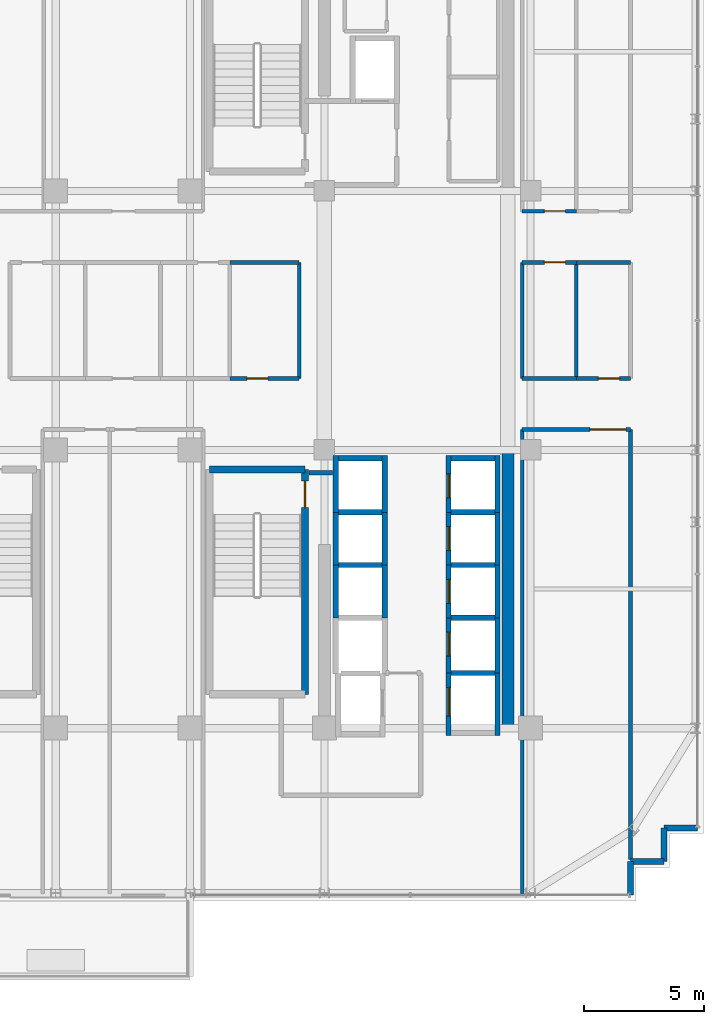
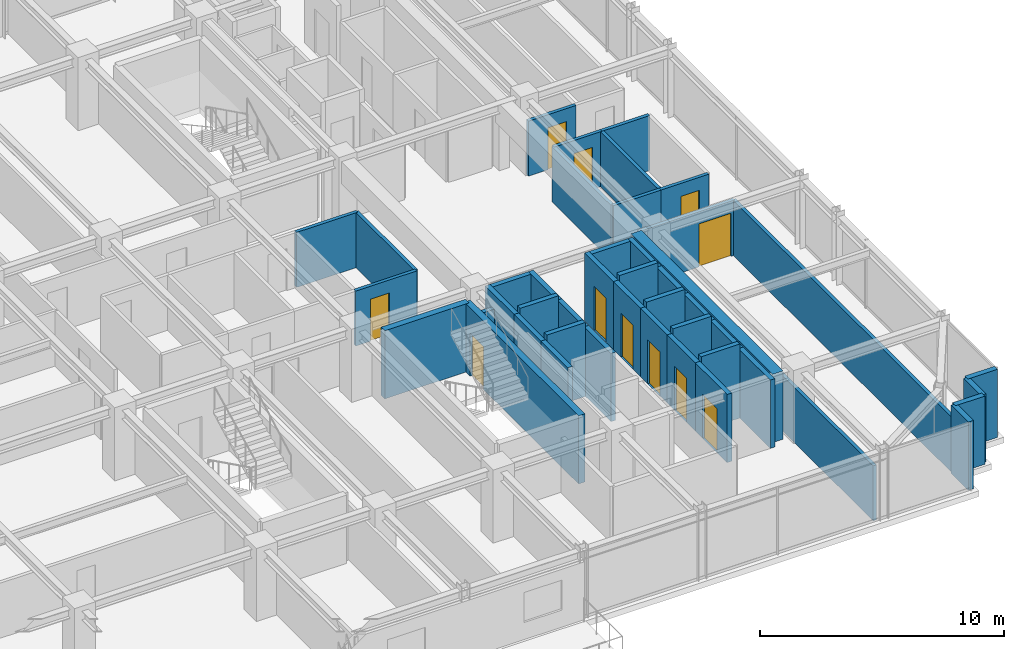
# One storey, part 27 of 32: 45 walls, 11 doors, 11 openings.
"""IFC4 building model written with IfcOpenShell, lengths in metres."""

from ifc_helpers import new_model, si_unit, direction, frame, frame_2d, origin, place, context, subcontext, project, spatial, rectangle, extrude, source, transform, mapped, material, layer, layer_set, type_object, element, fill, save


model = new_model("IFC4")

# Units and contexts
model_context = context("Model", 3, precision=1e-05, world=origin(), true_north=direction((0.0, 1.0)))
body_context = subcontext(model_context, "Body", "Model", "MODEL_VIEW")
ifc_project = project(units=[si_unit("LENGTHUNIT", "METRE"), si_unit("AREAUNIT", "SQUARE_METRE"), si_unit("VOLUMEUNIT", "CUBIC_METRE"), si_unit("PLANEANGLEUNIT", "RADIAN"), si_unit("MASSUNIT", "GRAM", prefix="KILO")], contexts=[model_context])

# Site, building, storey
site_placement = place(None, origin())
site = spatial("IfcSite", under=ifc_project, at=site_placement, CompositionType="ELEMENT")
building_placement = place(site_placement, origin())
building = spatial("IfcBuilding", under=site, at=building_placement, Name="Nahalor Promenade Grand Hotel", CompositionType="ELEMENT")
storey_placement = place(building_placement, frame((0.0, 0.0, 230.800048828125)))
storey = spatial("IfcBuildingStorey", under=building, at=storey_placement, Name="L59", CompositionType="ELEMENT", Elevation=230.800048828125)

# Walls
ifc_material_1 = material(Name="Concrete B-60 (C50/60)", Category="concrete")
ifc_layer_1 = layer(ifc_material_1, 0.5)
ifc_layer_set_1 = layer_set([ifc_layer_1], Name="Concrete B-60 (C50/60)")
wall_type_1 = type_object("IfcWallType", Name="Wall-CoreShear-500", PredefinedType="SHEAR", material=ifc_layer_set_1)
shared_shape_1 = source(origin(), body_context, "Body", "SweptSolid", [
    extrude(rectangle(XDim=11.60009765625, YDim=0.5, at=frame_2d((5.800048828125, 0.0))), origin(), (0.0, 0.0, 1.0), 3.409912109375),
])
wall_1_placement = place(storey_placement, frame((16.050048828125, -17.0, 0.0), z_axis=(0.0, 0.0, 1.0), x_axis=(0.0, 1.0, 0.0)))
element("IfcWall", 1, at=wall_1_placement, inside=storey, type_object=wall_type_1, Name="CWALL-L59-SE", PredefinedType="SHEAR", context=body_context, shape_type="MappedRepresentation", body=[
    mapped(shared_shape_1, transform((0.0, 0.0, 0.0), scale=1.0)),
])
ifc_material_2 = material(Name="Concrete B-50 (C40/50)", Category="concrete")
ifc_layer_2 = layer(ifc_material_2, 0.300048828125)
ifc_layer_set_2 = layer_set([ifc_layer_2], Name="Concrete B-50 (C40/50)")
wall_type_2 = type_object("IfcWallType", Name="Wall-ShaftShear-300", PredefinedType="SHEAR", material=ifc_layer_set_2)
shared_shape_2 = source(origin(), body_context, "Body", "SweptSolid", [
    extrude(rectangle(XDim=3.97998046875, YDim=0.300048828125, at=frame_2d((1.989990234375, 0.0))), origin(), (0.0, 0.0, 1.0), 3.409912109375),
])
wall_2_placement = place(storey_placement, frame((3.610107421875, -6.2099609375, 0.0), z_axis=(0.0, 0.0, 1.0), x_axis=(1.0, 0.0, 0.0)))
element("IfcWall", 2, at=wall_2_placement, inside=storey, type_object=wall_type_2, Name="L59 Exit Stair ST2 Shaft Wall N", PredefinedType="SHEAR", context=body_context, shape_type="MappedRepresentation", body=[
    mapped(shared_shape_2, transform((0.0, 0.0, 0.0), scale=1.0)),
])

# Wall, opening, door
shared_shape_3 = source(origin(), body_context, "Body", "SweptSolid", [
    extrude(rectangle(XDim=9.380126953125, YDim=0.300048828125, at=frame_2d((4.68994140625, 0.0))), origin(), (0.0, 0.0, 1.0), 3.409912109375),
])
wall_3_placement = place(storey_placement, frame((7.590087890625, -15.590087890625, 0.0), z_axis=(0.0, 0.0, 1.0), x_axis=(0.0, 1.0, 0.0)))
wall_3 = element("IfcWall", 3, at=wall_3_placement, inside=storey, type_object=wall_type_2, Name="L59 Exit Stair ST2 Shaft Wall E", PredefinedType="SHEAR", context=body_context, shape_type="MappedRepresentation", body=[
    mapped(shared_shape_3, transform((0.0, 0.0, 0.0), scale=1.0)),
])
opening_1_placement = place(wall_3_placement, frame((7.7900390625, 0.0, 0.0)))
opening_1 = element("IfcOpeningElement", 4, at=opening_1_placement, cuts=wall_3, Name="Opening D-ST1", PredefinedType="OPENING", context=body_context, shape_type="SweptSolid", body=[
    extrude(rectangle(XDim=1.10009765625, YDim=2.14990234375, at=frame_2d((0.550048828125, 1.074951171875))), frame((0.0, 0.159912109375, 0.0), z_axis=(0.0, -1.0, 0.0), x_axis=(1.0, 0.0, 0.0)), (0.0, 0.0, 1.0), 0.320068359375),
])
ifc_material_3 = material(Name="Steel S355JR", Category="steel")
door_type_1 = type_object("IfcDoorType", Name="Door-StairFire-1100", OperationType="NOTDEFINED", PredefinedType="DOOR", material=ifc_material_3)
shared_shape_4 = source(origin(), body_context, "Body", "SweptSolid", [
    extrude(rectangle(XDim=1.10009765625, YDim=2.14990234375, at=frame_2d((0.550048828125, 1.074951171875))), frame((0.0, 0.02490234375, 0.0), z_axis=(0.0, -1.0, 0.0), x_axis=(1.0, 0.0, 0.0)), (0.0, 0.0, 1.0), 0.050048828125),
])
door_1_placement = place(opening_1_placement, origin())
door_1 = element("IfcDoor", 5, at=door_1_placement, inside=storey, type_object=door_type_1, Name="DR-STAIR-ST2-L59", OperationType="SINGLE_SWING_RIGHT", OverallHeight=2.14990234375, OverallWidth=1.10009765625, PredefinedType="DOOR", context=body_context, shape_type="MappedRepresentation", body=[
    mapped(shared_shape_4, transform((0.0, 0.0, 0.0), scale=1.0)),
])
fill(opening_1, door_1)

ifc_layer_3 = layer(ifc_material_2, 0.219970703125)
ifc_layer_set_3 = layer_set([ifc_layer_3], Name="Concrete B-50 (C40/50)")
wall_type_3 = type_object("IfcWallType", Name="Wall-LiftShaft-220", PredefinedType="SHEAR", material=ifc_layer_set_3)
shared_shape_5 = source(origin(), body_context, "Body", "SweptSolid", [
    extrude(rectangle(XDim=2.360107421875, YDim=0.219970703125, at=frame_2d((1.18017578125, 0.0))), origin(), (0.0, 0.0, 1.0), 3.409912109375),
])
wall_4_placement = place(storey_placement, frame((13.580078125, -8.0, 0.0), z_axis=(0.0, 0.0, 1.0), x_axis=(0.0, 1.0, 0.0)))
wall_4 = element("IfcWall", 6, at=wall_4_placement, inside=storey, type_object=wall_type_3, Name="L59 Lift PL5 Hoistway Wall W", PredefinedType="SHEAR", context=body_context, shape_type="MappedRepresentation", body=[
    mapped(shared_shape_5, transform((0.0, 0.0, 0.0), scale=1.0)),
])
opening_2_placement = place(wall_4_placement, frame((0.60009765625, 0.0, 0.0)))
opening_2 = element("IfcOpeningElement", 7, at=opening_2_placement, cuts=wall_4, Name="Opening LD-01", PredefinedType="OPENING", context=body_context, shape_type="SweptSolid", body=[
    extrude(rectangle(XDim=1.0, YDim=2.199951171875, at=frame_2d((0.5, 1.10009765625))), frame((0.0, 0.119873046875, 0.0), z_axis=(0.0, -1.0, 0.0), x_axis=(1.0, 0.0, 0.0)), (0.0, 0.0, 1.0), 0.239990234375),
])
door_type_2 = type_object("IfcDoorType", Name="Door-LiftLanding-1000", OperationType="DOUBLE_DOOR_SLIDING", PredefinedType="DOOR", material=ifc_material_3)
shared_shape_6 = source(origin(), body_context, "Body", "SweptSolid", [
    extrude(rectangle(XDim=1.0, YDim=2.199951171875, at=frame_2d((0.5, 1.10009765625))), frame((0.0, 0.02490234375, 0.0), z_axis=(0.0, -1.0, 0.0), x_axis=(1.0, 0.0, 0.0)), (0.0, 0.0, 1.0), 0.050048828125),
])
door_2_placement = place(opening_2_placement, origin())
door_2 = element("IfcDoor", 8, at=door_2_placement, inside=storey, type_object=door_type_2, Name="DR-LIFT-PL5-L59", OperationType="DOUBLE_DOOR_SLIDING", OverallHeight=2.199951171875, OverallWidth=1.0, PredefinedType="DOOR", context=body_context, shape_type="MappedRepresentation", body=[
    mapped(shared_shape_6, transform((0.0, 0.0, 0.0), scale=1.0)),
])
fill(opening_2, door_2)

# Walls
for number, where, z_axis, x_axis, name in (
    (9, (15.6201171875, -8.0, 0.0), (0.0, 0.0, 1.0), (0.0, 1.0, 0.0), "L59 Lift PL5 Hoistway Wall E"),
    (10, (8.8798828125, -8.0, 0.0), (0.0, 0.0, 1.0), (0.0, 1.0, 0.0), "L59 Lift PL9 Hoistway Wall W"),
    (11, (10.919921875, -8.0, 0.0), (0.0, 0.0, 1.0), (0.0, 1.0, 0.0), "L59 Lift PL9 Hoistway Wall E"),
):
    element("IfcWall", number, at=place(storey_placement, frame(where, z_axis=z_axis, x_axis=x_axis)), inside=storey, type_object=wall_type_3, Name=name, PredefinedType="SHEAR", context=body_context, shape_type="MappedRepresentation", body=[
        mapped(shared_shape_5, transform((0.0, 0.0, 0.0), scale=1.0)),
    ])
shared_shape_7 = source(origin(), body_context, "Body", "SweptSolid", [
    extrude(rectangle(XDim=1.820068359375, YDim=0.219970703125, at=frame_2d((0.91015625, 0.0))), origin(), (0.0, 0.0, 1.0), 3.409912109375),
])
for number, where, z_axis, x_axis, name in (
    (12, (13.68994140625, -5.75, 0.0), (0.0, 0.0, 1.0), (1.0, 0.0, 0.0), "L59 Lift PL5 Hoistway Wall N"),
    (13, (8.989990234375, -5.75, 0.0), (0.0, 0.0, 1.0), (1.0, 0.0, 0.0), "L59 Lift PL9 Hoistway Wall N"),
):
    element("IfcWall", number, at=place(storey_placement, frame(where, z_axis=z_axis, x_axis=x_axis)), inside=storey, type_object=wall_type_3, Name=name, PredefinedType="SHEAR", context=body_context, shape_type="MappedRepresentation", body=[
        mapped(shared_shape_7, transform((0.0, 0.0, 0.0), scale=1.0)),
    ])

# Wall, opening, door
shared_shape_8 = source(origin(), body_context, "Body", "SweptSolid", [
    extrude(rectangle(XDim=2.199951171875, YDim=0.219970703125, at=frame_2d((1.10009765625, 0.0))), origin(), (0.0, 0.0, 1.0), 3.409912109375),
])
wall_5_placement = place(storey_placement, frame((13.580078125, -10.199951171875, 0.0), z_axis=(0.0, 0.0, 1.0), x_axis=(0.0, 1.0, 0.0)))
wall_5 = element("IfcWall", 14, at=wall_5_placement, inside=storey, type_object=wall_type_3, Name="L59 Lift PL6 Hoistway Wall W", PredefinedType="SHEAR", context=body_context, shape_type="MappedRepresentation", body=[
    mapped(shared_shape_8, transform((0.0, 0.0, 0.0), scale=1.0)),
])
opening_3_placement = place(wall_5_placement, frame((0.60009765625, 0.0, 0.0)))
opening_3 = element("IfcOpeningElement", 15, at=opening_3_placement, cuts=wall_5, Name="Opening LD-01", PredefinedType="OPENING", context=body_context, shape_type="SweptSolid", body=[
    extrude(rectangle(XDim=1.0, YDim=2.199951171875, at=frame_2d((0.5, 1.10009765625))), frame((0.0, 0.119873046875, 0.0), z_axis=(0.0, -1.0, 0.0), x_axis=(1.0, 0.0, 0.0)), (0.0, 0.0, 1.0), 0.239990234375),
])
door_3_placement = place(opening_3_placement, origin())
door_3 = element("IfcDoor", 16, at=door_3_placement, inside=storey, type_object=door_type_2, Name="DR-LIFT-PL6-L59", OperationType="DOUBLE_DOOR_SLIDING", OverallHeight=2.199951171875, OverallWidth=1.0, PredefinedType="DOOR", context=body_context, shape_type="MappedRepresentation", body=[
    mapped(shared_shape_6, transform((0.0, 0.0, 0.0), scale=1.0)),
])
fill(opening_3, door_3)

# Wall
wall_6_placement = place(storey_placement, frame((15.6201171875, -10.199951171875, 0.0), z_axis=(0.0, 0.0, 1.0), x_axis=(0.0, 1.0, 0.0)))
element("IfcWall", 17, at=wall_6_placement, inside=storey, type_object=wall_type_3, Name="L59 Lift PL6 Hoistway Wall E", PredefinedType="SHEAR", context=body_context, shape_type="MappedRepresentation", body=[
    mapped(shared_shape_8, transform((0.0, 0.0, 0.0), scale=1.0)),
])

# Wall, opening, door
wall_7_placement = place(storey_placement, frame((13.580078125, -12.39990234375, 0.0), z_axis=(0.0, 0.0, 1.0), x_axis=(0.0, 1.0, 0.0)))
wall_7 = element("IfcWall", 18, at=wall_7_placement, inside=storey, type_object=wall_type_3, Name="L59 Lift PL7 Hoistway Wall W", PredefinedType="SHEAR", context=body_context, shape_type="MappedRepresentation", body=[
    mapped(shared_shape_8, transform((0.0, 0.0, 0.0), scale=1.0)),
])
opening_4_placement = place(wall_7_placement, frame((0.60009765625, 0.0, 0.0)))
opening_4 = element("IfcOpeningElement", 19, at=opening_4_placement, cuts=wall_7, Name="Opening LD-01", PredefinedType="OPENING", context=body_context, shape_type="SweptSolid", body=[
    extrude(rectangle(XDim=1.0, YDim=2.199951171875, at=frame_2d((0.5, 1.10009765625))), frame((0.0, 0.119873046875, 0.0), z_axis=(0.0, -1.0, 0.0), x_axis=(1.0, 0.0, 0.0)), (0.0, 0.0, 1.0), 0.239990234375),
])
door_4_placement = place(opening_4_placement, origin())
door_4 = element("IfcDoor", 20, at=door_4_placement, inside=storey, type_object=door_type_2, Name="DR-LIFT-PL7-L59", OperationType="DOUBLE_DOOR_SLIDING", OverallHeight=2.199951171875, OverallWidth=1.0, PredefinedType="DOOR", context=body_context, shape_type="MappedRepresentation", body=[
    mapped(shared_shape_6, transform((0.0, 0.0, 0.0), scale=1.0)),
])
fill(opening_4, door_4)

# Walls
for number, where, z_axis, x_axis, name in (
    (21, (15.6201171875, -12.39990234375, 0.0), (0.0, 0.0, 1.0), (0.0, 1.0, 0.0), "L59 Lift PL7 Hoistway Wall E"),
    (22, (8.8798828125, -10.199951171875, 0.0), (0.0, 0.0, 1.0), (0.0, 1.0, 0.0), "L59 Lift PL10 Hoistway Wall W"),
    (23, (10.919921875, -10.199951171875, 0.0), (0.0, 0.0, 1.0), (0.0, 1.0, 0.0), "L59 Lift PL10 Hoistway Wall E"),
    (24, (8.8798828125, -12.39990234375, 0.0), (0.0, 0.0, 1.0), (0.0, 1.0, 0.0), "L59 Lift PL11 Hoistway Wall W"),
    (25, (10.919921875, -12.39990234375, 0.0), (0.0, 0.0, 1.0), (0.0, 1.0, 0.0), "L59 Lift PL11 Hoistway Wall E"),
):
    element("IfcWall", number, at=place(storey_placement, frame(where, z_axis=z_axis, x_axis=x_axis)), inside=storey, type_object=wall_type_3, Name=name, PredefinedType="SHEAR", context=body_context, shape_type="MappedRepresentation", body=[
        mapped(shared_shape_8, transform((0.0, 0.0, 0.0), scale=1.0)),
    ])
shared_shape_9 = source(origin(), body_context, "Body", "SweptSolid", [
    extrude(rectangle(XDim=1.820068359375, YDim=0.219970703125, at=frame_2d((0.91015625, 0.0))), origin(), (0.0, 0.0, 1.0), 3.699951171875),
])
for number, where, z_axis, x_axis, name in (
    (26, (13.68994140625, -8.0, 0.0), (0.0, 0.0, 1.0), (1.0, 0.0, 0.0), "L59 Lift PL6 Hoistway Wall N"),
    (27, (13.68994140625, -10.199951171875, 0.0), (0.0, 0.0, 1.0), (1.0, 0.0, 0.0), "L59 Lift PL7 Hoistway Wall N"),
    (28, (13.68994140625, -12.39990234375, 0.0), (0.0, 0.0, 1.0), (1.0, 0.0, 0.0), "L59 Lift PL8 Hoistway Wall N"),
    (29, (8.989990234375, -8.0, 0.0), (0.0, 0.0, 1.0), (1.0, 0.0, 0.0), "L59 Lift PL10 Hoistway Wall N"),
    (30, (8.989990234375, -10.199951171875, 0.0), (0.0, 0.0, 1.0), (1.0, 0.0, 0.0), "L59 Lift PL11 Hoistway Wall N"),
    (31, (13.68994140625, -14.699951171875, 0.0), (0.0, 0.0, 1.0), (1.0, 0.0, 0.0), "L59 Lift SV2 Hoistway Wall N"),
):
    element("IfcWall", number, at=place(storey_placement, frame(where, z_axis=z_axis, x_axis=x_axis)), inside=storey, type_object=wall_type_3, Name=name, PredefinedType="SHEAR", context=body_context, shape_type="MappedRepresentation", body=[
        mapped(shared_shape_9, transform((0.0, 0.0, 0.0), scale=1.0)),
    ])

# Wall, opening, door
shared_shape_10 = source(origin(), body_context, "Body", "SweptSolid", [
    extrude(rectangle(XDim=2.300048828125, YDim=0.219970703125, at=frame_2d((1.14990234375, 0.0))), origin(), (0.0, 0.0, 1.0), 3.409912109375),
])
wall_8_placement = place(storey_placement, frame((13.580078125, -14.699951171875, 0.0), z_axis=(0.0, 0.0, 1.0), x_axis=(0.0, 1.0, 0.0)))
wall_8 = element("IfcWall", 32, at=wall_8_placement, inside=storey, type_object=wall_type_3, Name="L59 Lift PL8 Hoistway Wall W", PredefinedType="SHEAR", context=body_context, shape_type="MappedRepresentation", body=[
    mapped(shared_shape_10, transform((0.0, 0.0, 0.0), scale=1.0)),
])
opening_5_placement = place(wall_8_placement, frame((0.699951171875, 0.0, 0.0)))
opening_5 = element("IfcOpeningElement", 33, at=opening_5_placement, cuts=wall_8, Name="Opening LD-01", PredefinedType="OPENING", context=body_context, shape_type="SweptSolid", body=[
    extrude(rectangle(XDim=1.0, YDim=2.199951171875, at=frame_2d((0.5, 1.10009765625))), frame((0.0, 0.119873046875, 0.0), z_axis=(0.0, -1.0, 0.0), x_axis=(1.0, 0.0, 0.0)), (0.0, 0.0, 1.0), 0.239990234375),
])
door_5_placement = place(opening_5_placement, origin())
door_5 = element("IfcDoor", 34, at=door_5_placement, inside=storey, type_object=door_type_2, Name="DR-LIFT-PL8-L59", OperationType="DOUBLE_DOOR_SLIDING", OverallHeight=2.199951171875, OverallWidth=1.0, PredefinedType="DOOR", context=body_context, shape_type="MappedRepresentation", body=[
    mapped(shared_shape_6, transform((0.0, 0.0, 0.0), scale=1.0)),
])
fill(opening_5, door_5)

# Wall
wall_9_placement = place(storey_placement, frame((15.6201171875, -14.699951171875, 0.0), z_axis=(0.0, 0.0, 1.0), x_axis=(0.0, 1.0, 0.0)))
element("IfcWall", 35, at=wall_9_placement, inside=storey, type_object=wall_type_3, Name="L59 Lift PL8 Hoistway Wall E", PredefinedType="SHEAR", context=body_context, shape_type="MappedRepresentation", body=[
    mapped(shared_shape_10, transform((0.0, 0.0, 0.0), scale=1.0)),
])

# Wall, opening, door
shared_shape_11 = source(origin(), body_context, "Body", "SweptSolid", [
    extrude(rectangle(XDim=2.610107421875, YDim=0.219970703125, at=frame_2d((1.30517578125, 0.0))), origin(), (0.0, 0.0, 1.0), 3.409912109375),
])
wall_10_placement = place(storey_placement, frame((13.580078125, -17.31005859375, 0.0), z_axis=(0.0, 0.0, 1.0), x_axis=(0.0, 1.0, 0.0)))
wall_10 = element("IfcWall", 36, at=wall_10_placement, inside=storey, type_object=wall_type_3, Name="L59 Lift SV2 Hoistway Wall W", PredefinedType="SHEAR", context=body_context, shape_type="MappedRepresentation", body=[
    mapped(shared_shape_11, transform((0.0, 0.0, 0.0), scale=1.0)),
])
opening_6_placement = place(wall_10_placement, frame((0.81005859375, 0.0, 0.0)))
opening_6 = element("IfcOpeningElement", 37, at=opening_6_placement, cuts=wall_10, Name="Opening LD-03", PredefinedType="OPENING", context=body_context, shape_type="SweptSolid", body=[
    extrude(rectangle(XDim=1.199951171875, YDim=2.199951171875, at=frame_2d((0.60009765625, 1.10009765625))), frame((0.0, 0.119873046875, 0.0), z_axis=(0.0, -1.0, 0.0), x_axis=(1.0, 0.0, 0.0)), (0.0, 0.0, 1.0), 0.239990234375),
])
door_type_3 = type_object("IfcDoorType", Name="Door-LiftService-1200", OperationType="DOUBLE_DOOR_SLIDING", PredefinedType="DOOR", material=ifc_material_3)
shared_shape_12 = source(origin(), body_context, "Body", "SweptSolid", [
    extrude(rectangle(XDim=1.199951171875, YDim=2.199951171875, at=frame_2d((0.60009765625, 1.10009765625))), frame((0.0, 0.02490234375, 0.0), z_axis=(0.0, -1.0, 0.0), x_axis=(1.0, 0.0, 0.0)), (0.0, 0.0, 1.0), 0.050048828125),
])
door_6_placement = place(opening_6_placement, origin())
door_6 = element("IfcDoor", 38, at=door_6_placement, inside=storey, type_object=door_type_3, Name="DR-LIFT-SV2-L59", OperationType="DOUBLE_DOOR_SLIDING", OverallHeight=2.199951171875, OverallWidth=1.199951171875, PredefinedType="DOOR", context=body_context, shape_type="MappedRepresentation", body=[
    mapped(shared_shape_12, transform((0.0, 0.0, 0.0), scale=1.0)),
])
fill(opening_6, door_6)

# Walls
wall_11_placement = place(storey_placement, frame((15.6201171875, -17.31005859375, 0.0), z_axis=(0.0, 0.0, 1.0), x_axis=(0.0, 1.0, 0.0)))
element("IfcWall", 39, at=wall_11_placement, inside=storey, type_object=wall_type_3, Name="L59 Lift SV2 Hoistway Wall E", PredefinedType="SHEAR", context=body_context, shape_type="MappedRepresentation", body=[
    mapped(shared_shape_11, transform((0.0, 0.0, 0.0), scale=1.0)),
])
ifc_material_4 = material(Name="Concrete B-40 (C32/40)", Category="concrete")
ifc_layer_4 = layer(ifc_material_4, 0.25)
ifc_layer_set_4 = layer_set([ifc_layer_4], Name="Concrete B-40 (C32/40)")
wall_type_4 = type_object("IfcWallType", Name="Wall-BronzePier-250", PredefinedType="STANDARD", material=ifc_layer_set_4)
shared_shape_13 = source(origin(), body_context, "Body", "SweptSolid", [
    extrude(rectangle(XDim=1.39990234375, YDim=0.25, at=frame_2d((0.699951171875, 0.0))), origin(), (0.0, 0.0, 1.0), 3.409912109375),
])
for number, where, z_axis, x_axis, name in (
    (40, (21.159912109375, -23.9599609375, 0.0), (0.0, 0.0, 1.0), (0.0, 1.0, 0.0), "W-L59-SR-01"),
    (41, (22.56005859375, -21.159912109375, 0.0), (0.0, 0.0, 1.0), (1.0, 0.0, 0.0), "W-L59-SR-04"),
):
    element("IfcWall", number, at=place(storey_placement, frame(where, z_axis=z_axis, x_axis=x_axis)), inside=storey, type_object=wall_type_4, Name=name, PredefinedType="STANDARD", context=body_context, shape_type="MappedRepresentation", body=[
        mapped(shared_shape_13, transform((0.0, 0.0, 0.0), scale=1.0)),
    ])
shared_shape_14 = source(origin(), body_context, "Body", "SweptSolid", [
    extrude(rectangle(XDim=1.400146484375, YDim=0.25, at=frame_2d((0.7001953125, 0.0))), origin(), (0.0, 0.0, 1.0), 3.409912109375),
])
for number, where, z_axis, x_axis, name in (
    (42, (21.159912109375, -22.56005859375, 0.0), (0.0, 0.0, 1.0), (1.0, 0.0, 0.0), "W-L59-SR-02"),
    (43, (22.56005859375, -22.56005859375, 0.0), (0.0, 0.0, 1.0), (0.0, 1.0, 0.0), "W-L59-SR-03"),
):
    element("IfcWall", number, at=place(storey_placement, frame(where, z_axis=z_axis, x_axis=x_axis)), inside=storey, type_object=wall_type_4, Name=name, PredefinedType="STANDARD", context=body_context, shape_type="MappedRepresentation", body=[
        mapped(shared_shape_14, transform((0.0, 0.0, 0.0), scale=1.0)),
    ])
ifc_layer_5 = layer(ifc_material_4, 0.199951171875)
ifc_layer_set_5 = layer_set([ifc_layer_5], Name="Concrete B-40 (C32/40)")
wall_type_5 = type_object("IfcWallType", Name="Wall-PartFire-200", PredefinedType="PARTITIONING", material=ifc_layer_set_5)
shared_shape_15 = source(origin(), body_context, "Body", "SweptSolid", [
    extrude(rectangle(XDim=0.969970703125, YDim=0.199951171875, at=frame_2d((0.48486328125, 0.0))), origin(), (0.0, 0.0, 1.0), 2.75),
])
wall_12_placement = place(storey_placement, frame((7.77001953125, -6.35009765625, 0.0), z_axis=(0.0, 0.0, 1.0), x_axis=(1.0, 0.0, 0.0)))
element("IfcWall", 44, at=wall_12_placement, inside=storey, type_object=wall_type_5, Name="W-L59-FF2-N2", PredefinedType="PARTITIONING", context=body_context, shape_type="MappedRepresentation", body=[
    mapped(shared_shape_15, transform((0.0, 0.0, 0.0), scale=1.0)),
])

# Wall, opening, door
ifc_material_5 = material(Name="Acoustic Mineral Gypsum", Category="gypsum")
ifc_layer_6 = layer(ifc_material_5, 0.159912109375)
ifc_layer_set_6 = layer_set([ifc_layer_6], Name="Acoustic Mineral Gypsum")
wall_type_6 = type_object("IfcWallType", Name="Wall-PartCorridor-160", PredefinedType="PARTITIONING", material=ifc_layer_set_6)
shared_shape_16 = source(origin(), body_context, "Body", "SweptSolid", [
    extrude(rectangle(XDim=2.255126953125, YDim=0.159912109375, at=frame_2d((1.12744140625, 0.0))), origin(), (0.0, 0.0, 1.0), 2.75),
])
wall_13_placement = place(storey_placement, frame((16.64990234375, 4.550048828125, 0.0), z_axis=(0.0, 0.0, 1.0), x_axis=(1.0, 0.0, 0.0)))
wall_13 = element("IfcWall", 45, at=wall_13_placement, inside=storey, type_object=wall_type_6, Name="W-L59-ENE1-S", PredefinedType="PARTITIONING", context=body_context, shape_type="MappedRepresentation", body=[
    mapped(shared_shape_16, transform((0.0, 0.0, 0.0), scale=1.0)),
])
opening_7_placement = place(wall_13_placement, frame((0.924072265625, 0.0, 0.0)))
opening_7 = element("IfcOpeningElement", 46, at=opening_7_placement, cuts=wall_13, Name="Opening D-03", PredefinedType="OPENING", context=body_context, shape_type="SweptSolid", body=[
    extrude(rectangle(XDim=0.8798828125, YDim=2.10009765625, at=frame_2d((0.43994140625, 1.050048828125))), frame((0.0, 0.08984375, 0.0), z_axis=(0.0, -1.0, 0.0), x_axis=(1.0, 0.0, 0.0)), (0.0, 0.0, 1.0), 0.179931640625),
])
ifc_material_6 = material(Name="Fire-Rated Timber Composite", Category="wood")
door_type_4 = type_object("IfcDoorType", Name="Door-BathSwing-880", OperationType="NOTDEFINED", PredefinedType="DOOR", material=ifc_material_6)
shared_shape_17 = source(origin(), body_context, "Body", "SweptSolid", [
    extrude(rectangle(XDim=0.8798828125, YDim=2.10009765625, at=frame_2d((0.43994140625, 1.050048828125))), frame((0.0, 0.02490234375, 0.0), z_axis=(0.0, -1.0, 0.0), x_axis=(1.0, 0.0, 0.0)), (0.0, 0.0, 1.0), 0.050048828125),
])
door_7_placement = place(opening_7_placement, origin())
door_7 = element("IfcDoor", 47, at=door_7_placement, inside=storey, type_object=door_type_4, Name="DR-L59-ENE1", OperationType="SINGLE_SWING_RIGHT", OverallHeight=2.10009765625, OverallWidth=0.8798828125, PredefinedType="DOOR", context=body_context, shape_type="MappedRepresentation", body=[
    mapped(shared_shape_17, transform((0.0, 0.0, 0.0), scale=1.0)),
])
fill(opening_7, door_7)

# Wall
wall_14_placement = place(storey_placement, frame((16.64990234375, -2.419921875, 0.0), z_axis=(0.0, 0.0, 1.0), x_axis=(1.0, 0.0, 0.0)))
element("IfcWall", 48, at=wall_14_placement, inside=storey, type_object=wall_type_6, Name="W-L59-ECW1-S", PredefinedType="PARTITIONING", context=body_context, shape_type="MappedRepresentation", body=[
    mapped(shared_shape_16, transform((0.0, 0.0, 0.0), scale=1.0)),
])

# Wall, opening, door
wall_15_placement = place(storey_placement, frame((16.64990234375, 2.419921875, 0.0), z_axis=(0.0, 0.0, 1.0), x_axis=(1.0, 0.0, 0.0)))
wall_15 = element("IfcWall", 49, at=wall_15_placement, inside=storey, type_object=wall_type_6, Name="W-L59-ECW1-N", PredefinedType="PARTITIONING", context=body_context, shape_type="MappedRepresentation", body=[
    mapped(shared_shape_16, transform((0.0, 0.0, 0.0), scale=1.0)),
])
opening_8_placement = place(wall_15_placement, frame((0.924072265625, 0.0, 0.0)))
opening_8 = element("IfcOpeningElement", 50, at=opening_8_placement, cuts=wall_15, Name="Opening D-03", PredefinedType="OPENING", context=body_context, shape_type="SweptSolid", body=[
    extrude(rectangle(XDim=0.8798828125, YDim=2.10009765625, at=frame_2d((0.43994140625, 1.050048828125))), frame((0.0, 0.08984375, 0.0), z_axis=(0.0, -1.0, 0.0), x_axis=(1.0, 0.0, 0.0)), (0.0, 0.0, 1.0), 0.179931640625),
])
door_8_placement = place(opening_8_placement, frame((0.8798828125, 0.0, 0.0), z_axis=(0.0, 0.0, 1.0), x_axis=(-1.0, 0.0, 0.0)))
door_8 = element("IfcDoor", 51, at=door_8_placement, inside=storey, type_object=door_type_4, Name="DR-L59-ECW1", OperationType="SINGLE_SWING_RIGHT", OverallHeight=2.10009765625, OverallWidth=0.8798828125, PredefinedType="DOOR", context=body_context, shape_type="MappedRepresentation", body=[
    mapped(shared_shape_17, transform((0.0, 0.0, 0.0), scale=1.0)),
])
fill(opening_8, door_8)

# Wall
shared_shape_18 = source(origin(), body_context, "Body", "SweptSolid", [
    extrude(rectangle(XDim=19.349853515625, YDim=0.159912109375, at=frame_2d((9.6748046875, 0.0))), origin(), (0.0, 0.0, 1.0), 2.75),
])
wall_16_placement = place(storey_placement, frame((16.64990234375, -23.89990234375, 0.0), z_axis=(0.0, 0.0, 1.0), x_axis=(0.0, 1.0, 0.0)))
element("IfcWall", 52, at=wall_16_placement, inside=storey, type_object=wall_type_6, Name="W-L59-ESE-W", PredefinedType="PARTITIONING", context=body_context, shape_type="MappedRepresentation", body=[
    mapped(shared_shape_18, transform((0.0, 0.0, 0.0), scale=1.0)),
])

# Wall, opening, door
shared_shape_19 = source(origin(), body_context, "Body", "SweptSolid", [
    extrude(rectangle(XDim=2.2548828125, YDim=0.159912109375, at=frame_2d((1.12744140625, 0.0))), origin(), (0.0, 0.0, 1.0), 2.75),
])
wall_17_placement = place(storey_placement, frame((18.905029296875, -2.419921875, 0.0), z_axis=(0.0, 0.0, 1.0), x_axis=(1.0, 0.0, 0.0)))
wall_17 = element("IfcWall", 53, at=wall_17_placement, inside=storey, type_object=wall_type_6, Name="W-L59-ECW2-S", PredefinedType="PARTITIONING", context=body_context, shape_type="MappedRepresentation", body=[
    mapped(shared_shape_19, transform((0.0, 0.0, 0.0), scale=1.0)),
])
opening_9_placement = place(wall_17_placement, frame((0.924072265625, 0.0, 0.0)))
opening_9 = element("IfcOpeningElement", 54, at=opening_9_placement, cuts=wall_17, Name="Opening D-03", PredefinedType="OPENING", context=body_context, shape_type="SweptSolid", body=[
    extrude(rectangle(XDim=0.8798828125, YDim=2.10009765625, at=frame_2d((0.43994140625, 1.050048828125))), frame((0.0, 0.08984375, 0.0), z_axis=(0.0, -1.0, 0.0), x_axis=(1.0, 0.0, 0.0)), (0.0, 0.0, 1.0), 0.179931640625),
])
door_9_placement = place(opening_9_placement, origin())
door_9 = element("IfcDoor", 55, at=door_9_placement, inside=storey, type_object=door_type_4, Name="DR-L59-ECW2", OperationType="SINGLE_SWING_LEFT", OverallHeight=2.10009765625, OverallWidth=0.8798828125, PredefinedType="DOOR", context=body_context, shape_type="MappedRepresentation", body=[
    mapped(shared_shape_17, transform((0.0, 0.0, 0.0), scale=1.0)),
])
fill(opening_9, door_9)

# Walls
wall_18_placement = place(storey_placement, frame((18.905029296875, 2.419921875, 0.0), z_axis=(0.0, 0.0, 1.0), x_axis=(1.0, 0.0, 0.0)))
element("IfcWall", 56, at=wall_18_placement, inside=storey, type_object=wall_type_6, Name="W-L59-ECW2-N", PredefinedType="PARTITIONING", context=body_context, shape_type="MappedRepresentation", body=[
    mapped(shared_shape_19, transform((0.0, 0.0, 0.0), scale=1.0)),
])
shared_shape_20 = source(origin(), body_context, "Body", "SweptSolid", [
    extrude(rectangle(XDim=17.929931640625, YDim=0.159912109375, at=frame_2d((8.96484375, 0.0))), origin(), (0.0, 0.0, 1.0), 2.75),
])
wall_19_placement = place(storey_placement, frame((21.159912109375, -22.47998046875, 0.0), z_axis=(0.0, 0.0, 1.0), x_axis=(0.0, 1.0, 0.0)))
element("IfcWall", 57, at=wall_19_placement, inside=storey, type_object=wall_type_6, Name="W-L59-ESE-E", PredefinedType="PARTITIONING", context=body_context, shape_type="MappedRepresentation", body=[
    mapped(shared_shape_20, transform((0.0, 0.0, 0.0), scale=1.0)),
])
shared_shape_21 = source(origin(), body_context, "Body", "SweptSolid", [
    extrude(rectangle(XDim=4.83984375, YDim=0.159912109375, at=frame_2d((2.419921875, 0.0))), origin(), (0.0, 0.0, 1.0), 2.75),
])
for number, where, z_axis, x_axis, name in (
    (58, (7.35009765625, -2.419921875, 0.0), (0.0, 0.0, 1.0), (0.0, 1.0, 0.0), "W-L59-CM4-E"),
    (59, (16.64990234375, -2.419921875, 0.0), (0.0, 0.0, 1.0), (0.0, 1.0, 0.0), "W-L59-ECW1-W"),
    (60, (18.905029296875, -2.419921875, 0.0), (0.0, 0.0, 1.0), (0.0, 1.0, 0.0), "W-L59-ECW1-E"),
):
    element("IfcWall", number, at=place(storey_placement, frame(where, z_axis=z_axis, x_axis=x_axis)), inside=storey, type_object=wall_type_6, Name=name, PredefinedType="PARTITIONING", context=body_context, shape_type="MappedRepresentation", body=[
        mapped(shared_shape_21, transform((0.0, 0.0, 0.0), scale=1.0)),
    ])

# Wall, opening, door
shared_shape_22 = source(origin(), body_context, "Body", "SweptSolid", [
    extrude(rectangle(XDim=4.510009765625, YDim=0.159912109375, at=frame_2d((2.2548828125, 0.0))), origin(), (0.0, 0.0, 1.0), 2.75),
])
wall_20_placement = place(storey_placement, frame((16.64990234375, -4.550048828125, 0.0), z_axis=(0.0, 0.0, 1.0), x_axis=(1.0, 0.0, 0.0)))
wall_20 = element("IfcWall", 61, at=wall_20_placement, inside=storey, type_object=wall_type_6, Name="W-L59-ESE-N", PredefinedType="PARTITIONING", context=body_context, shape_type="MappedRepresentation", body=[
    mapped(shared_shape_22, transform((0.0, 0.0, 0.0), scale=1.0)),
])
opening_10_placement = place(wall_20_placement, frame((2.820068359375, 0.0, 0.0)))
opening_10 = element("IfcOpeningElement", 62, at=opening_10_placement, cuts=wall_20, Name="Opening D-02", PredefinedType="OPENING", context=body_context, shape_type="SweptSolid", body=[
    extrude(rectangle(XDim=1.5, YDim=2.14990234375, at=frame_2d((0.75, 1.074951171875))), frame((0.0, 0.08984375, 0.0), z_axis=(0.0, -1.0, 0.0), x_axis=(1.0, 0.0, 0.0)), (0.0, 0.0, 1.0), 0.179931640625),
])
door_type_5 = type_object("IfcDoorType", Name="Door-SuiteDouble-1500", OperationType="DOUBLE_DOOR_SINGLE_SWING", PredefinedType="DOOR", material=ifc_material_6)
shared_shape_23 = source(origin(), body_context, "Body", "SweptSolid", [
    extrude(rectangle(XDim=1.5, YDim=2.14990234375, at=frame_2d((0.75, 1.074951171875))), frame((0.0, 0.02490234375, 0.0), z_axis=(0.0, -1.0, 0.0), x_axis=(1.0, 0.0, 0.0)), (0.0, 0.0, 1.0), 0.050048828125),
])
door_10_placement = place(opening_10_placement, frame((1.5, 0.0, 0.0), z_axis=(0.0, 0.0, 1.0), x_axis=(-1.0, 0.0, 0.0)))
door_10 = element("IfcDoor", 63, at=door_10_placement, inside=storey, type_object=door_type_5, Name="DR-L59-ESE", OperationType="DOUBLE_DOOR_SINGLE_SWING", OverallHeight=2.14990234375, OverallWidth=1.5, PredefinedType="DOOR", context=body_context, shape_type="MappedRepresentation", body=[
    mapped(shared_shape_23, transform((0.0, 0.0, 0.0), scale=1.0)),
])
fill(opening_10, door_10)

shared_shape_24 = source(origin(), body_context, "Body", "SweptSolid", [
    extrude(rectangle(XDim=2.89208984375, YDim=0.159912109375, at=frame_2d((1.446044921875, 0.0))), origin(), (0.0, 0.0, 1.0), 2.75),
])
wall_21_placement = place(storey_placement, frame((4.4580078125, -2.419921875, 0.0), z_axis=(0.0, 0.0, 1.0), x_axis=(1.0, 0.0, 0.0)))
wall_21 = element("IfcWall", 64, at=wall_21_placement, inside=storey, type_object=wall_type_6, Name="W-L59-CM4-S", PredefinedType="PARTITIONING", context=body_context, shape_type="MappedRepresentation", body=[
    mapped(shared_shape_24, transform((0.0, 0.0, 0.0), scale=1.0)),
])
opening_11_placement = place(wall_21_placement, frame((0.7109375, 0.0, 0.0)))
opening_11 = element("IfcOpeningElement", 65, at=opening_11_placement, cuts=wall_21, Name="Opening D-03", PredefinedType="OPENING", context=body_context, shape_type="SweptSolid", body=[
    extrude(rectangle(XDim=0.8798828125, YDim=2.10009765625, at=frame_2d((0.43994140625, 1.050048828125))), frame((0.0, 0.08984375, 0.0), z_axis=(0.0, -1.0, 0.0), x_axis=(1.0, 0.0, 0.0)), (0.0, 0.0, 1.0), 0.179931640625),
])
door_11_placement = place(opening_11_placement, origin())
door_11 = element("IfcDoor", 66, at=door_11_placement, inside=storey, type_object=door_type_4, Name="DR-L59-CM4", OperationType="SINGLE_SWING_LEFT", OverallHeight=2.10009765625, OverallWidth=0.8798828125, PredefinedType="DOOR", context=body_context, shape_type="MappedRepresentation", body=[
    mapped(shared_shape_17, transform((0.0, 0.0, 0.0), scale=1.0)),
])
fill(opening_11, door_11)

# Wall
wall_22_placement = place(storey_placement, frame((4.4580078125, 2.419921875, 0.0), z_axis=(0.0, 0.0, 1.0), x_axis=(1.0, 0.0, 0.0)))
element("IfcWall", 67, at=wall_22_placement, inside=storey, type_object=wall_type_6, Name="W-L59-CM4-N", PredefinedType="PARTITIONING", context=body_context, shape_type="MappedRepresentation", body=[
    mapped(shared_shape_24, transform((0.0, 0.0, 0.0), scale=1.0)),
])

save(model, "model.ifc")
